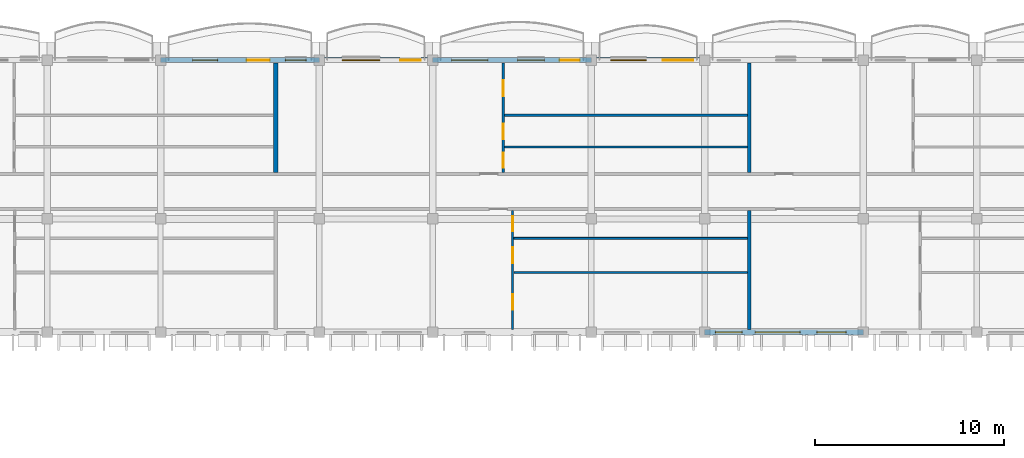
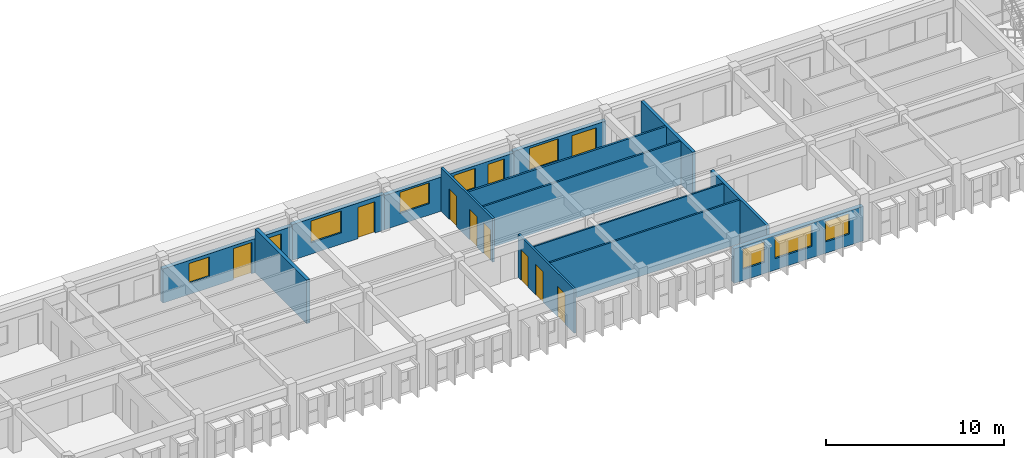
# One storey, part 24 of 59: 14 walls, 10 doors, 9 windows, 19 openings.
"""IFC4 building model written with IfcOpenShell, lengths in metres."""

from ifc_helpers import new_model, si_unit, direction, frame, frame_2d, origin, place, context, subcontext, project, spatial, rectangle, extrude, material, layer, layer_set, type_object, element, fill, save


model = new_model("IFC4")

# Units and contexts
model_context = context("Model", 3, precision=1e-05, world=origin(), true_north=direction((0.0, 1.0)))
body_context = subcontext(model_context, "Body", "Model", "MODEL_VIEW")
ifc_project = project(units=[si_unit("LENGTHUNIT", "METRE"), si_unit("AREAUNIT", "SQUARE_METRE"), si_unit("VOLUMEUNIT", "CUBIC_METRE"), si_unit("PLANEANGLEUNIT", "RADIAN"), si_unit("MASSUNIT", "GRAM", prefix="KILO"), si_unit("THERMODYNAMICTEMPERATUREUNIT", "KELVIN")], contexts=[model_context])

# Site, building, storey
site_placement = place(None, origin())
site = spatial("IfcSite", under=ifc_project, at=site_placement, CompositionType="ELEMENT")
building_placement = place(site_placement, origin())
building = spatial("IfcBuilding", under=site, at=building_placement, Name="Thalorik Housing Commons", CompositionType="ELEMENT")
storey_placement = place(building_placement, frame((0.0, 0.0, 27.89990234375)))
storey = spatial("IfcBuildingStorey", under=building, at=storey_placement, Name="L08", CompositionType="ELEMENT", Elevation=27.89990234375)

# Wall, openings, door, window
ifc_material_1 = material(Name="White precast concrete C40/50", Category="concrete")
ifc_layer_1 = layer(ifc_material_1, 0.27490234375, Name="White precast concrete C40/50", Category="concrete")
ifc_layer_set_1 = layer_set([ifc_layer_1], Name="White precast concrete C40/50")
wall_type_1 = type_object("IfcWallType", Name="ARC-WAL-EXT-275", PredefinedType="STANDARD", material=ifc_layer_set_1)
wall_1_placement = place(storey_placement, frame((129.60009765625, 123.60009765625, 0.0), z_axis=(0.0, 0.0, 1.0), x_axis=(-1.0, 0.0, 0.0)))
wall_1 = element("IfcWall", 1, at=wall_1_placement, inside=storey, type_object=wall_type_1, Name="L08 Exterior Wall WAL-EXT-L08-B-0678", PredefinedType="STANDARD", context=body_context, shape_type="SweptSolid", body=[
    extrude(rectangle(XDim=6.0, YDim=0.27490234375, at=frame_2d((3.0, 0.0))), origin(), (0.0, 0.0, 1.0), 2.445068359375),
])
opening_1_placement = place(wall_1_placement, frame((0.6201171875, 0.0, 0.0)))
opening_1 = element("IfcOpeningElement", 2, at=opening_1_placement, cuts=wall_1, Name="Opening ED-0225", PredefinedType="OPENING", context=body_context, shape_type="SweptSolid", body=[
    extrude(rectangle(XDim=1.60009765625, YDim=2.199951171875, at=frame_2d((0.800048828125, 1.10009765625))), frame((0.0, 0.1474609375, 0.0), z_axis=(0.0, -1.0, 0.0), x_axis=(1.0, 0.0, 0.0)), (0.0, 0.0, 1.0), 0.294921875),
])
opening_2_placement = place(wall_1_placement, frame((3.10009765625, 0.0, 0.780029296875)))
opening_2 = element("IfcOpeningElement", 3, at=opening_2_placement, cuts=wall_1, Name="Opening W-59", PredefinedType="OPENING", context=body_context, shape_type="SweptSolid", body=[
    extrude(rectangle(XDim=1.8798828125, YDim=1.52001953125, at=frame_2d((0.93994140625, 0.760009765625))), frame((0.0, 0.1474609375, 0.0), z_axis=(0.0, -1.0, 0.0), x_axis=(1.0, 0.0, 0.0)), (0.0, 0.0, 1.0), 0.294921875),
])
ifc_material_2 = material(Name="Anodised aluminium and laminated safety glass", Category="aluminium")
door_type_1 = type_object("IfcDoorType", Name="ARC-DR-BAL-1600", OperationType="NOTDEFINED", PredefinedType="DOOR", material=ifc_material_2)
door_1_placement = place(opening_1_placement, frame((1.60009765625, 0.0, 0.0), z_axis=(0.0, 0.0, 1.0), x_axis=(-1.0, 0.0, 0.0)))
door_1 = element("IfcDoor", 4, at=door_1_placement, inside=storey, type_object=door_type_1, Name="L08 Block B Balcony Glazed Door", OperationType="SLIDING_TO_LEFT", OverallHeight=2.199951171875, OverallWidth=1.60009765625, PredefinedType="DOOR", context=body_context, shape_type="SweptSolid", body=[
    extrude(rectangle(XDim=1.60009765625, YDim=2.199951171875, at=frame_2d((0.800048828125, 1.10009765625))), frame((0.0, 0.02490234375, 0.0), z_axis=(0.0, -1.0, 0.0), x_axis=(1.0, 0.0, 0.0)), (0.0, 0.0, 1.0), 0.050048828125),
])
fill(opening_1, door_1)
ifc_material_3 = material(Name="Anodised aluminium and solar-control low-E glass", Category="aluminium")
window_type_1 = type_object("IfcWindowType", Name="ARC-WIN-59", PartitioningType="DOUBLE_PANEL_VERTICAL", PredefinedType="WINDOW", material=ifc_material_3)
window_1_placement = place(opening_2_placement, origin())
window_1 = element("IfcWindow", 5, at=window_1_placement, inside=storey, type_object=window_type_1, Name="L08 Facade Window 1238", OverallHeight=1.52001953125, OverallWidth=1.8798828125, PartitioningType="DOUBLE_PANEL_VERTICAL", PredefinedType="WINDOW", context=body_context, shape_type="SweptSolid", body=[
    extrude(rectangle(XDim=1.8798828125, YDim=1.52001953125, at=frame_2d((0.93994140625, 0.760009765625))), frame((0.0, 0.030029296875, 0.0), z_axis=(0.0, -1.0, 0.0), x_axis=(1.0, 0.0, 0.0)), (0.0, 0.0, 1.0), 0.06005859375),
])
fill(opening_2, window_1)

# Wall, openings, door, windows
wall_2_placement = place(storey_placement, frame((123.60009765625, 123.60009765625, 0.0), z_axis=(0.0, 0.0, 1.0), x_axis=(-1.0, 0.0, 0.0)))
wall_2 = element("IfcWall", 6, at=wall_2_placement, inside=storey, type_object=wall_type_1, Name="L08 Exterior Wall WAL-EXT-L08-B-0679", PredefinedType="STANDARD", context=body_context, shape_type="SweptSolid", body=[
    extrude(rectangle(XDim=8.400146484375, YDim=0.27490234375, at=frame_2d((4.2001953125, 0.0))), origin(), (0.0, 0.0, 1.0), 2.34521484375),
])
opening_3_placement = place(wall_2_placement, frame((0.6201171875, 0.0, 0.0)))
opening_3 = element("IfcOpeningElement", 7, at=opening_3_placement, cuts=wall_2, Name="Opening ED-0226", PredefinedType="OPENING", context=body_context, shape_type="SweptSolid", body=[
    extrude(rectangle(XDim=1.050048828125, YDim=2.14990234375, at=frame_2d((0.52490234375, 1.074951171875))), frame((0.0, 0.1474609375, 0.0), z_axis=(0.0, -1.0, 0.0), x_axis=(1.0, 0.0, 0.0)), (0.0, 0.0, 1.0), 0.294921875),
])
opening_4_placement = place(wall_2_placement, frame((2.485595703125, 0.0, 0.780029296875)))
opening_4 = element("IfcOpeningElement", 8, at=opening_4_placement, cuts=wall_2, Name="Opening W-50", PredefinedType="OPENING", context=body_context, shape_type="SweptSolid", body=[
    extrude(rectangle(XDim=1.419921875, YDim=1.3798828125, at=frame_2d((0.7099609375, 0.68994140625))), frame((0.0, 0.1474609375, 0.0), z_axis=(0.0, -1.0, 0.0), x_axis=(1.0, 0.0, 0.0)), (0.0, 0.0, 1.0), 0.294921875),
])
opening_5_placement = place(wall_2_placement, frame((5.480712890625, 0.0, 0.780029296875)))
opening_5 = element("IfcOpeningElement", 9, at=opening_5_placement, cuts=wall_2, Name="Opening W-60", PredefinedType="OPENING", context=body_context, shape_type="SweptSolid", body=[
    extrude(rectangle(XDim=1.919921875, YDim=1.43994140625, at=frame_2d((0.9599609375, 0.719970703125))), frame((0.0, 0.1474609375, 0.0), z_axis=(0.0, -1.0, 0.0), x_axis=(1.0, 0.0, 0.0)), (0.0, 0.0, 1.0), 0.294921875),
])
door_type_2 = type_object("IfcDoorType", Name="ARC-DR-BAL-1050", OperationType="NOTDEFINED", PredefinedType="DOOR", material=ifc_material_2)
door_2_placement = place(opening_3_placement, frame((1.050048828125, 0.0, 0.0), z_axis=(0.0, 0.0, 1.0), x_axis=(-1.0, 0.0, 0.0)))
door_2 = element("IfcDoor", 10, at=door_2_placement, inside=storey, type_object=door_type_2, Name="L08 Block B Balcony Glazed Door", OperationType="SINGLE_SWING_LEFT", OverallHeight=2.14990234375, OverallWidth=1.050048828125, PredefinedType="DOOR", context=body_context, shape_type="SweptSolid", body=[
    extrude(rectangle(XDim=1.050048828125, YDim=2.14990234375, at=frame_2d((0.52490234375, 1.074951171875))), frame((0.0, 0.02490234375, 0.0), z_axis=(0.0, -1.0, 0.0), x_axis=(1.0, 0.0, 0.0)), (0.0, 0.0, 1.0), 0.050048828125),
])
fill(opening_3, door_2)
window_type_2 = type_object("IfcWindowType", Name="ARC-WIN-50", PartitioningType="SINGLE_PANEL", PredefinedType="WINDOW", material=ifc_material_3)
window_2_placement = place(opening_4_placement, origin())
window_2 = element("IfcWindow", 11, at=window_2_placement, inside=storey, type_object=window_type_2, Name="L08 Facade Window 1239", OverallHeight=1.3798828125, OverallWidth=1.419921875, PartitioningType="SINGLE_PANEL", PredefinedType="WINDOW", context=body_context, shape_type="SweptSolid", body=[
    extrude(rectangle(XDim=1.419921875, YDim=1.3798828125, at=frame_2d((0.7099609375, 0.68994140625))), frame((0.0, 0.030029296875, 0.0), z_axis=(0.0, -1.0, 0.0), x_axis=(1.0, 0.0, 0.0)), (0.0, 0.0, 1.0), 0.06005859375),
])
fill(opening_4, window_2)
window_type_3 = type_object("IfcWindowType", Name="ARC-WIN-60", PartitioningType="DOUBLE_PANEL_VERTICAL", PredefinedType="WINDOW", material=ifc_material_3)
window_3_placement = place(opening_5_placement, origin())
window_3 = element("IfcWindow", 12, at=window_3_placement, inside=storey, type_object=window_type_3, Name="L08 Facade Window 1240", OverallHeight=1.43994140625, OverallWidth=1.919921875, PartitioningType="DOUBLE_PANEL_VERTICAL", PredefinedType="WINDOW", context=body_context, shape_type="SweptSolid", body=[
    extrude(rectangle(XDim=1.919921875, YDim=1.43994140625, at=frame_2d((0.9599609375, 0.719970703125))), frame((0.0, 0.030029296875, 0.0), z_axis=(0.0, -1.0, 0.0), x_axis=(1.0, 0.0, 0.0)), (0.0, 0.0, 1.0), 0.06005859375),
])
fill(opening_5, window_3)

# Wall, openings, door, window
wall_3_placement = place(storey_placement, frame((115.199951171875, 123.60009765625, 0.0), z_axis=(0.0, 0.0, 1.0), x_axis=(-1.0, 0.0, 0.0)))
wall_3 = element("IfcWall", 13, at=wall_3_placement, inside=storey, type_object=wall_type_1, Name="L08 Exterior Wall WAL-EXT-L08-B-0680", PredefinedType="STANDARD", context=body_context, shape_type="SweptSolid", body=[
    extrude(rectangle(XDim=6.0, YDim=0.27490234375, at=frame_2d((3.0, 0.0))), origin(), (0.0, 0.0, 1.0), 2.445068359375),
])
opening_6_placement = place(wall_3_placement, frame((0.6201171875, 0.0, 0.0)))
opening_6 = element("IfcOpeningElement", 14, at=opening_6_placement, cuts=wall_3, Name="Opening ED-0227", PredefinedType="OPENING", context=body_context, shape_type="SweptSolid", body=[
    extrude(rectangle(XDim=1.10009765625, YDim=2.14990234375, at=frame_2d((0.550048828125, 1.074951171875))), frame((0.0, 0.1474609375, 0.0), z_axis=(0.0, -1.0, 0.0), x_axis=(1.0, 0.0, 0.0)), (0.0, 0.0, 1.0), 0.294921875),
])
opening_7_placement = place(wall_3_placement, frame((2.800048828125, 0.0, 0.780029296875)))
opening_7 = element("IfcOpeningElement", 15, at=opening_7_placement, cuts=wall_3, Name="Opening W-61", PredefinedType="OPENING", context=body_context, shape_type="SweptSolid", body=[
    extrude(rectangle(XDim=1.97998046875, YDim=1.5, at=frame_2d((0.989990234375, 0.75))), frame((0.0, 0.1474609375, 0.0), z_axis=(0.0, -1.0, 0.0), x_axis=(1.0, 0.0, 0.0)), (0.0, 0.0, 1.0), 0.294921875),
])
door_type_3 = type_object("IfcDoorType", Name="ARC-DR-BAL-1100", OperationType="NOTDEFINED", PredefinedType="DOOR", material=ifc_material_2)
door_3_placement = place(opening_6_placement, frame((1.10009765625, 0.0, 0.0), z_axis=(0.0, 0.0, 1.0), x_axis=(-1.0, 0.0, 0.0)))
door_3 = element("IfcDoor", 16, at=door_3_placement, inside=storey, type_object=door_type_3, Name="L08 Block B Balcony Glazed Door", OperationType="SINGLE_SWING_RIGHT", OverallHeight=2.14990234375, OverallWidth=1.10009765625, PredefinedType="DOOR", context=body_context, shape_type="SweptSolid", body=[
    extrude(rectangle(XDim=1.10009765625, YDim=2.14990234375, at=frame_2d((0.550048828125, 1.074951171875))), frame((0.0, 0.02490234375, 0.0), z_axis=(0.0, -1.0, 0.0), x_axis=(1.0, 0.0, 0.0)), (0.0, 0.0, 1.0), 0.050048828125),
])
fill(opening_6, door_3)
window_type_4 = type_object("IfcWindowType", Name="ARC-WIN-61", PartitioningType="DOUBLE_PANEL_VERTICAL", PredefinedType="WINDOW", material=ifc_material_3)
window_4_placement = place(opening_7_placement, origin())
window_4 = element("IfcWindow", 17, at=window_4_placement, inside=storey, type_object=window_type_4, Name="L08 Facade Window 1241", OverallHeight=1.5, OverallWidth=1.97998046875, PartitioningType="DOUBLE_PANEL_VERTICAL", PredefinedType="WINDOW", context=body_context, shape_type="SweptSolid", body=[
    extrude(rectangle(XDim=1.97998046875, YDim=1.5, at=frame_2d((0.989990234375, 0.75))), frame((0.0, 0.030029296875, 0.0), z_axis=(0.0, -1.0, 0.0), x_axis=(1.0, 0.0, 0.0)), (0.0, 0.0, 1.0), 0.06005859375),
])
fill(opening_7, window_4)

# Wall, openings, door, windows
wall_4_placement = place(storey_placement, frame((109.199951171875, 123.60009765625, 0.0), z_axis=(0.0, 0.0, 1.0), x_axis=(-1.0, 0.0, 0.0)))
wall_4 = element("IfcWall", 18, at=wall_4_placement, inside=storey, type_object=wall_type_1, Name="L08 Exterior Wall WAL-EXT-L08-B-0681", PredefinedType="STANDARD", context=body_context, shape_type="SweptSolid", body=[
    extrude(rectangle(XDim=8.39990234375, YDim=0.27490234375, at=frame_2d((4.199951171875, 0.0))), origin(), (0.0, 0.0, 1.0), 2.34521484375),
])
opening_8_placement = place(wall_4_placement, frame((2.6298828125, 0.0, 0.0)))
opening_8 = element("IfcOpeningElement", 19, at=opening_8_placement, cuts=wall_4, Name="Opening ED-0228", PredefinedType="OPENING", context=body_context, shape_type="SweptSolid", body=[
    extrude(rectangle(XDim=1.199951171875, YDim=2.14990234375, at=frame_2d((0.60009765625, 1.074951171875))), frame((0.0, 0.1474609375, 0.0), z_axis=(0.0, -1.0, 0.0), x_axis=(1.0, 0.0, 0.0)), (0.0, 0.0, 1.0), 0.294921875),
])
opening_9_placement = place(wall_4_placement, frame((0.695068359375, 0.0, 0.780029296875)))
opening_9 = element("IfcOpeningElement", 20, at=opening_9_placement, cuts=wall_4, Name="Opening W-03", PredefinedType="OPENING", context=body_context, shape_type="SweptSolid", body=[
    extrude(rectangle(XDim=1.10009765625, YDim=1.300048828125, at=frame_2d((0.550048828125, 0.64990234375))), frame((0.0, 0.1474609375, 0.0), z_axis=(0.0, -1.0, 0.0), x_axis=(1.0, 0.0, 0.0)), (0.0, 0.0, 1.0), 0.294921875),
])
opening_10_placement = place(wall_4_placement, frame((5.385009765625, 0.0, 0.780029296875)))
opening_10 = element("IfcOpeningElement", 21, at=opening_10_placement, cuts=wall_4, Name="Opening W-48", PredefinedType="OPENING", context=body_context, shape_type="SweptSolid", body=[
    extrude(rectangle(XDim=1.320068359375, YDim=1.35009765625, at=frame_2d((0.66015625, 0.675048828125))), frame((0.0, 0.1474609375, 0.0), z_axis=(0.0, -1.0, 0.0), x_axis=(1.0, 0.0, 0.0)), (0.0, 0.0, 1.0), 0.294921875),
])
door_type_4 = type_object("IfcDoorType", Name="ARC-DR-BAL-1200", OperationType="NOTDEFINED", PredefinedType="DOOR", material=ifc_material_2)
door_4_placement = place(opening_8_placement, frame((1.199951171875, 0.0, 0.0), z_axis=(0.0, 0.0, 1.0), x_axis=(-1.0, 0.0, 0.0)))
door_4 = element("IfcDoor", 22, at=door_4_placement, inside=storey, type_object=door_type_4, Name="L08 Block B Balcony Glazed Door", OperationType="SINGLE_SWING_LEFT", OverallHeight=2.14990234375, OverallWidth=1.199951171875, PredefinedType="DOOR", context=body_context, shape_type="SweptSolid", body=[
    extrude(rectangle(XDim=1.199951171875, YDim=2.14990234375, at=frame_2d((0.60009765625, 1.074951171875))), frame((0.0, 0.02490234375, 0.0), z_axis=(0.0, -1.0, 0.0), x_axis=(1.0, 0.0, 0.0)), (0.0, 0.0, 1.0), 0.050048828125),
])
fill(opening_8, door_4)
window_type_5 = type_object("IfcWindowType", Name="ARC-WIN-03", PartitioningType="SINGLE_PANEL", PredefinedType="WINDOW", material=ifc_material_3)
window_5_placement = place(opening_9_placement, origin())
window_5 = element("IfcWindow", 23, at=window_5_placement, inside=storey, type_object=window_type_5, Name="L08 Facade Window 1242", OverallHeight=1.300048828125, OverallWidth=1.10009765625, PartitioningType="SINGLE_PANEL", PredefinedType="WINDOW", context=body_context, shape_type="SweptSolid", body=[
    extrude(rectangle(XDim=1.10009765625, YDim=1.300048828125, at=frame_2d((0.550048828125, 0.64990234375))), frame((0.0, 0.030029296875, 0.0), z_axis=(0.0, -1.0, 0.0), x_axis=(1.0, 0.0, 0.0)), (0.0, 0.0, 1.0), 0.06005859375),
])
fill(opening_9, window_5)
window_type_6 = type_object("IfcWindowType", Name="ARC-WIN-48", PartitioningType="SINGLE_PANEL", PredefinedType="WINDOW", material=ifc_material_3)
window_6_placement = place(opening_10_placement, origin())
window_6 = element("IfcWindow", 24, at=window_6_placement, inside=storey, type_object=window_type_6, Name="L08 Facade Window 1243", OverallHeight=1.35009765625, OverallWidth=1.320068359375, PartitioningType="SINGLE_PANEL", PredefinedType="WINDOW", context=body_context, shape_type="SweptSolid", body=[
    extrude(rectangle(XDim=1.320068359375, YDim=1.35009765625, at=frame_2d((0.66015625, 0.675048828125))), frame((0.0, 0.030029296875, 0.0), z_axis=(0.0, -1.0, 0.0), x_axis=(1.0, 0.0, 0.0)), (0.0, 0.0, 1.0), 0.06005859375),
])
fill(opening_10, window_6)

# Wall, openings, windows
wall_5_placement = place(storey_placement, frame((129.60009765625, 109.199951171875, 0.0), z_axis=(0.0, 0.0, 1.0), x_axis=(1.0, 0.0, 0.0)))
wall_5 = element("IfcWall", 25, at=wall_5_placement, inside=storey, type_object=wall_type_1, Name="L08 Exterior Wall WAL-EXT-L08-B-0694", PredefinedType="STANDARD", context=body_context, shape_type="SweptSolid", body=[
    extrude(rectangle(XDim=8.39990234375, YDim=0.27490234375, at=frame_2d((4.199951171875, 0.0))), origin(), (0.0, 0.0, 1.0), 2.375),
])
opening_11_placement = place(wall_5_placement, frame((0.56494140625, 0.0, 0.780029296875)))
opening_11 = element("IfcOpeningElement", 26, at=opening_11_placement, cuts=wall_5, Name="Opening W-50", PredefinedType="OPENING", context=body_context, shape_type="SweptSolid", body=[
    extrude(rectangle(XDim=1.419921875, YDim=1.3798828125, at=frame_2d((0.7099609375, 0.68994140625))), frame((0.0, 0.1474609375, 0.0), z_axis=(0.0, -1.0, 0.0), x_axis=(1.0, 0.0, 0.0)), (0.0, 0.0, 1.0), 0.294921875),
])
opening_12_placement = place(wall_5_placement, frame((2.66748046875, 0.0, 0.780029296875)))
opening_12 = element("IfcOpeningElement", 27, at=opening_12_placement, cuts=wall_5, Name="Opening W-69", PredefinedType="OPENING", context=body_context, shape_type="SweptSolid", body=[
    extrude(rectangle(XDim=2.3798828125, YDim=1.47998046875, at=frame_2d((1.18994140625, 0.739990234375))), frame((0.0, 0.1474609375, 0.0), z_axis=(0.0, -1.0, 0.0), x_axis=(1.0, 0.0, 0.0)), (0.0, 0.0, 1.0), 0.294921875),
])
opening_13_placement = place(wall_5_placement, frame((5.9375, 0.0, 0.780029296875)))
opening_13 = element("IfcOpeningElement", 28, at=opening_13_placement, cuts=wall_5, Name="Opening W-12", PredefinedType="OPENING", context=body_context, shape_type="SweptSolid", body=[
    extrude(rectangle(XDim=1.550048828125, YDim=1.39990234375, at=frame_2d((0.77490234375, 0.699951171875))), frame((0.0, 0.1474609375, 0.0), z_axis=(0.0, -1.0, 0.0), x_axis=(1.0, 0.0, 0.0)), (0.0, 0.0, 1.0), 0.294921875),
])
window_type_7 = type_object("IfcWindowType", Name="ARC-WIN-12", PartitioningType="SINGLE_PANEL", PredefinedType="WINDOW", material=ifc_material_3)
window_7_placement = place(opening_13_placement, origin())
window_7 = element("IfcWindow", 29, at=window_7_placement, inside=storey, type_object=window_type_7, Name="L08 Facade Window 1272", OverallHeight=1.39990234375, OverallWidth=1.550048828125, PartitioningType="SINGLE_PANEL", PredefinedType="WINDOW", context=body_context, shape_type="SweptSolid", body=[
    extrude(rectangle(XDim=1.550048828125, YDim=1.39990234375, at=frame_2d((0.77490234375, 0.699951171875))), frame((0.0, 0.030029296875, 0.0), z_axis=(0.0, -1.0, 0.0), x_axis=(1.0, 0.0, 0.0)), (0.0, 0.0, 1.0), 0.06005859375),
])
fill(opening_13, window_7)
window_8_placement = place(opening_11_placement, origin())
window_8 = element("IfcWindow", 30, at=window_8_placement, inside=storey, type_object=window_type_2, Name="L08 Facade Window 1270", OverallHeight=1.3798828125, OverallWidth=1.419921875, PartitioningType="SINGLE_PANEL", PredefinedType="WINDOW", context=body_context, shape_type="SweptSolid", body=[
    extrude(rectangle(XDim=1.419921875, YDim=1.3798828125, at=frame_2d((0.7099609375, 0.68994140625))), frame((0.0, 0.030029296875, 0.0), z_axis=(0.0, -1.0, 0.0), x_axis=(1.0, 0.0, 0.0)), (0.0, 0.0, 1.0), 0.06005859375),
])
fill(opening_11, window_8)
window_type_8 = type_object("IfcWindowType", Name="ARC-WIN-69", PartitioningType="DOUBLE_PANEL_VERTICAL", PredefinedType="WINDOW", material=ifc_material_3)
window_9_placement = place(opening_12_placement, origin())
window_9 = element("IfcWindow", 31, at=window_9_placement, inside=storey, type_object=window_type_8, Name="L08 Facade Window 1271", OverallHeight=1.47998046875, OverallWidth=2.3798828125, PartitioningType="DOUBLE_PANEL_VERTICAL", PredefinedType="WINDOW", context=body_context, shape_type="SweptSolid", body=[
    extrude(rectangle(XDim=2.3798828125, YDim=1.47998046875, at=frame_2d((1.18994140625, 0.739990234375))), frame((0.0, 0.030029296875, 0.0), z_axis=(0.0, -1.0, 0.0), x_axis=(1.0, 0.0, 0.0)), (0.0, 0.0, 1.0), 0.06005859375),
])
fill(opening_12, window_9)

# Walls
ifc_material_4 = material(Name="Gypsum light stud partition", Category="masonry")
ifc_layer_2 = layer(ifc_material_4, 0.10009765625, Name="Gypsum light stud partition", Category="masonry")
ifc_layer_set_2 = layer_set([ifc_layer_2], Name="Gypsum light stud partition")
wall_type_2 = type_object("IfcWallType", Name="ARC-WAL-PART-100", PredefinedType="PARTITIONING", material=ifc_layer_set_2)
wall_6_placement = place(storey_placement, frame((119.494384765625, 114.169677734375, 0.0), z_axis=(0.0, 0.0, 1.0), x_axis=(1.0, 0.0, 0.0)))
element("IfcWall", 32, at=wall_6_placement, inside=storey, type_object=wall_type_2, Name="L08 Unit 2 Wet Wall", PredefinedType="PARTITIONING", context=body_context, shape_type="SweptSolid", body=[
    extrude(rectangle(XDim=12.37109375, YDim=0.10009765625, at=frame_2d((6.185546875, 0.0))), origin(), (0.0, 0.0, 1.0), 3.0),
])
ifc_material_5 = material(Name="Gypsum moisture-resistant partition", Category="masonry")
ifc_layer_3 = layer(ifc_material_5, 0.114990234375, Name="Gypsum moisture-resistant partition", Category="masonry")
ifc_layer_set_3 = layer_set([ifc_layer_3], Name="Gypsum moisture-resistant partition")
wall_type_3 = type_object("IfcWallType", Name="ARC-WAL-PART-115", PredefinedType="PARTITIONING", material=ifc_layer_set_3)
wall_7_placement = place(storey_placement, frame((119.494384765625, 112.36083984375, 0.0), z_axis=(0.0, 0.0, 1.0), x_axis=(1.0, 0.0, 0.0)))
element("IfcWall", 33, at=wall_7_placement, inside=storey, type_object=wall_type_3, Name="L08 Unit 2 Bedroom Partition", PredefinedType="PARTITIONING", context=body_context, shape_type="SweptSolid", body=[
    extrude(rectangle(XDim=12.37109375, YDim=0.114990234375, at=frame_2d((6.185546875, 0.0))), origin(), (0.0, 0.0, 1.0), 3.0),
])
wall_8_placement = place(storey_placement, frame((119.000732421875, 119.010498046875, 0.0), z_axis=(0.0, 0.0, 1.0), x_axis=(1.0, 0.0, 0.0)))
element("IfcWall", 34, at=wall_8_placement, inside=storey, type_object=wall_type_3, Name="L08 Unit 2B Wet Wall", PredefinedType="PARTITIONING", context=body_context, shape_type="SweptSolid", body=[
    extrude(rectangle(XDim=12.857177734375, YDim=0.114990234375, at=frame_2d((6.4287109375, 0.0))), origin(), (0.0, 0.0, 1.0), 3.0),
])

# Wall, openings, doors
ifc_material_6 = material(Name="Gypsum acoustic stud partition", Category="masonry")
ifc_layer_4 = layer(ifc_material_6, 0.125, Name="Gypsum acoustic stud partition", Category="masonry")
ifc_layer_set_4 = layer_set([ifc_layer_4], Name="Gypsum acoustic stud partition")
wall_type_4 = type_object("IfcWallType", Name="ARC-WAL-PART-125", PredefinedType="PARTITIONING", material=ifc_layer_set_4)
wall_9_placement = place(storey_placement, frame((119.429931640625, 109.339599609375, 0.0), z_axis=(0.0, 0.0, 1.0), x_axis=(0.0, 1.0, 0.0)))
wall_9 = element("IfcWall", 35, at=wall_9_placement, inside=storey, type_object=wall_type_4, Name="L08 Unit 2 Spine Partition", PredefinedType="PARTITIONING", context=body_context, shape_type="SweptSolid", body=[
    extrude(rectangle(XDim=6.303466796875, YDim=0.125, at=frame_2d((3.15185546875, 0.0))), origin(), (0.0, 0.0, 1.0), 3.0),
])
opening_14_placement = place(wall_9_placement, frame((1.0458984375, 0.0, 0.0)))
opening_14 = element("IfcOpeningElement", 36, at=opening_14_placement, cuts=wall_9, Name="Opening ID-1340", PredefinedType="OPENING", context=body_context, shape_type="SweptSolid", body=[
    extrude(rectangle(XDim=0.820068359375, YDim=2.080078125, at=frame_2d((0.41015625, 1.0400390625))), frame((0.0, 0.072509765625, 0.0), z_axis=(0.0, -1.0, 0.0), x_axis=(1.0, 0.0, 0.0)), (0.0, 0.0, 1.0), 0.14501953125),
])
opening_15_placement = place(wall_9_placement, frame((3.500732421875, 0.0, 0.0)))
opening_15 = element("IfcOpeningElement", 37, at=opening_15_placement, cuts=wall_9, Name="Opening ID-1341", PredefinedType="OPENING", context=body_context, shape_type="SweptSolid", body=[
    extrude(rectangle(XDim=0.85009765625, YDim=2.10009765625, at=frame_2d((0.425048828125, 1.050048828125))), frame((0.0, 0.072509765625, 0.0), z_axis=(0.0, -1.0, 0.0), x_axis=(1.0, 0.0, 0.0)), (0.0, 0.0, 1.0), 0.14501953125),
])
opening_16_placement = place(wall_9_placement, frame((5.205322265625, 0.0, 0.0)))
opening_16 = element("IfcOpeningElement", 38, at=opening_16_placement, cuts=wall_9, Name="Opening ID-1342", PredefinedType="OPENING", context=body_context, shape_type="SweptSolid", body=[
    extrude(rectangle(XDim=0.800048828125, YDim=2.10009765625, at=frame_2d((0.39990234375, 1.050048828125))), frame((0.0, 0.072509765625, 0.0), z_axis=(0.0, -1.0, 0.0), x_axis=(1.0, 0.0, 0.0)), (0.0, 0.0, 1.0), 0.14501953125),
])
ifc_material_7 = material(Name="Moisture-resistant timber", Category="wood")
door_type_5 = type_object("IfcDoorType", Name="ARC-DR-INT-800", OperationType="NOTDEFINED", PredefinedType="DOOR", material=ifc_material_7)
door_5_placement = place(opening_16_placement, origin())
door_5 = element("IfcDoor", 39, at=door_5_placement, inside=storey, type_object=door_type_5, Name="L08 Flat Bathroom Door", OperationType="SINGLE_SWING_LEFT", OverallHeight=2.10009765625, OverallWidth=0.800048828125, PredefinedType="DOOR", context=body_context, shape_type="SweptSolid", body=[
    extrude(rectangle(XDim=0.800048828125, YDim=2.10009765625, at=frame_2d((0.39990234375, 1.050048828125))), frame((0.0, 0.02490234375, 0.0), z_axis=(0.0, -1.0, 0.0), x_axis=(1.0, 0.0, 0.0)), (0.0, 0.0, 1.0), 0.050048828125),
])
fill(opening_16, door_5)
ifc_material_8 = material(Name="Engineered oak timber", Category="wood")
door_type_6 = type_object("IfcDoorType", Name="ARC-DR-INT-820", OperationType="NOTDEFINED", PredefinedType="DOOR", material=ifc_material_8)
door_6_placement = place(opening_14_placement, origin())
door_6 = element("IfcDoor", 40, at=door_6_placement, inside=storey, type_object=door_type_6, Name="L08 Double Bedroom Door", OperationType="SINGLE_SWING_LEFT", OverallHeight=2.080078125, OverallWidth=0.820068359375, PredefinedType="DOOR", context=body_context, shape_type="SweptSolid", body=[
    extrude(rectangle(XDim=0.820068359375, YDim=2.080078125, at=frame_2d((0.41015625, 1.0400390625))), frame((0.0, 0.02490234375, 0.0), z_axis=(0.0, -1.0, 0.0), x_axis=(1.0, 0.0, 0.0)), (0.0, 0.0, 1.0), 0.050048828125),
])
fill(opening_14, door_6)
door_type_7 = type_object("IfcDoorType", Name="ARC-DR-INT-850", OperationType="NOTDEFINED", PredefinedType="DOOR", material=ifc_material_8)
door_7_placement = place(opening_15_placement, origin())
door_7 = element("IfcDoor", 41, at=door_7_placement, inside=storey, type_object=door_type_7, Name="L08 Galley Kitchen Door", OperationType="SINGLE_SWING_RIGHT", OverallHeight=2.10009765625, OverallWidth=0.85009765625, PredefinedType="DOOR", context=body_context, shape_type="SweptSolid", body=[
    extrude(rectangle(XDim=0.85009765625, YDim=2.10009765625, at=frame_2d((0.425048828125, 1.050048828125))), frame((0.0, 0.02490234375, 0.0), z_axis=(0.0, -1.0, 0.0), x_axis=(1.0, 0.0, 0.0)), (0.0, 0.0, 1.0), 0.050048828125),
])
fill(opening_15, door_7)

# Wall
wall_10_placement = place(storey_placement, frame((119.000732421875, 120.67919921875, 0.0), z_axis=(0.0, 0.0, 1.0), x_axis=(1.0, 0.0, 0.0)))
element("IfcWall", 42, at=wall_10_placement, inside=storey, type_object=wall_type_4, Name="L08 Unit 2B Bedroom Partition", PredefinedType="PARTITIONING", context=body_context, shape_type="SweptSolid", body=[
    extrude(rectangle(XDim=12.857177734375, YDim=0.125, at=frame_2d((6.4287109375, 0.0))), origin(), (0.0, 0.0, 1.0), 3.0),
])

# Wall, openings, doors
ifc_material_9 = material(Name="Ceramic masonry partition wall", Category="masonry")
ifc_layer_5 = layer(ifc_material_9, 0.139892578125, Name="Ceramic masonry partition wall", Category="masonry")
ifc_layer_set_5 = layer_set([ifc_layer_5], Name="Ceramic masonry partition wall")
wall_type_5 = type_object("IfcWallType", Name="ARC-WAL-PART-140", PredefinedType="PARTITIONING", material=ifc_layer_set_5)
wall_11_placement = place(storey_placement, frame((118.9287109375, 117.66455078125, 0.0), z_axis=(0.0, 0.0, 1.0), x_axis=(0.0, 1.0, 0.0)))
wall_11 = element("IfcWall", 43, at=wall_11_placement, inside=storey, type_object=wall_type_5, Name="L08 Unit 2B Spine Partition", PredefinedType="PARTITIONING", context=body_context, shape_type="SweptSolid", body=[
    extrude(rectangle(XDim=5.7958984375, YDim=0.139892578125, at=frame_2d((2.89794921875, 0.0))), origin(), (0.0, 0.0, 1.0), 3.0),
])
opening_17_placement = place(wall_11_placement, frame((0.230712890625, 0.0, 0.0)))
opening_17 = element("IfcOpeningElement", 44, at=opening_17_placement, cuts=wall_11, Name="Opening ID-1343", PredefinedType="OPENING", context=body_context, shape_type="SweptSolid", body=[
    extrude(rectangle(XDim=0.800048828125, YDim=2.10009765625, at=frame_2d((0.39990234375, 1.050048828125))), frame((0.0, 0.080078125, 0.0), z_axis=(0.0, -1.0, 0.0), x_axis=(1.0, 0.0, 0.0)), (0.0, 0.0, 1.0), 0.159912109375),
])
opening_18_placement = place(wall_11_placement, frame((1.75537109375, 0.0, 0.0)))
opening_18 = element("IfcOpeningElement", 45, at=opening_18_placement, cuts=wall_11, Name="Opening ID-1344", PredefinedType="OPENING", context=body_context, shape_type="SweptSolid", body=[
    extrude(rectangle(XDim=0.820068359375, YDim=2.080078125, at=frame_2d((0.41015625, 1.0400390625))), frame((0.0, 0.080078125, 0.0), z_axis=(0.0, -1.0, 0.0), x_axis=(1.0, 0.0, 0.0)), (0.0, 0.0, 1.0), 0.159912109375),
])
opening_19_placement = place(wall_11_placement, frame((4.02001953125, 0.0, 0.0)))
opening_19 = element("IfcOpeningElement", 46, at=opening_19_placement, cuts=wall_11, Name="Opening ID-1345", PredefinedType="OPENING", context=body_context, shape_type="SweptSolid", body=[
    extrude(rectangle(XDim=0.85009765625, YDim=2.10009765625, at=frame_2d((0.425048828125, 1.050048828125))), frame((0.0, 0.080078125, 0.0), z_axis=(0.0, -1.0, 0.0), x_axis=(1.0, 0.0, 0.0)), (0.0, 0.0, 1.0), 0.159912109375),
])
door_8_placement = place(opening_17_placement, origin())
door_8 = element("IfcDoor", 47, at=door_8_placement, inside=storey, type_object=door_type_5, Name="L08 Flat Bathroom Door", OperationType="SINGLE_SWING_RIGHT", OverallHeight=2.10009765625, OverallWidth=0.800048828125, PredefinedType="DOOR", context=body_context, shape_type="SweptSolid", body=[
    extrude(rectangle(XDim=0.800048828125, YDim=2.10009765625, at=frame_2d((0.39990234375, 1.050048828125))), frame((0.0, 0.02490234375, 0.0), z_axis=(0.0, -1.0, 0.0), x_axis=(1.0, 0.0, 0.0)), (0.0, 0.0, 1.0), 0.050048828125),
])
fill(opening_17, door_8)
door_9_placement = place(opening_18_placement, origin())
door_9 = element("IfcDoor", 48, at=door_9_placement, inside=storey, type_object=door_type_6, Name="L08 Eat-In Kitchen Door", OperationType="SINGLE_SWING_LEFT", OverallHeight=2.080078125, OverallWidth=0.820068359375, PredefinedType="DOOR", context=body_context, shape_type="SweptSolid", body=[
    extrude(rectangle(XDim=0.820068359375, YDim=2.080078125, at=frame_2d((0.41015625, 1.0400390625))), frame((0.0, 0.02490234375, 0.0), z_axis=(0.0, -1.0, 0.0), x_axis=(1.0, 0.0, 0.0)), (0.0, 0.0, 1.0), 0.050048828125),
])
fill(opening_18, door_9)
door_10_placement = place(opening_19_placement, origin())
door_10 = element("IfcDoor", 49, at=door_10_placement, inside=storey, type_object=door_type_7, Name="L08 Master Bedroom Door", OperationType="SINGLE_SWING_RIGHT", OverallHeight=2.10009765625, OverallWidth=0.85009765625, PredefinedType="DOOR", context=body_context, shape_type="SweptSolid", body=[
    extrude(rectangle(XDim=0.85009765625, YDim=2.10009765625, at=frame_2d((0.425048828125, 1.050048828125))), frame((0.0, 0.02490234375, 0.0), z_axis=(0.0, -1.0, 0.0), x_axis=(1.0, 0.0, 0.0)), (0.0, 0.0, 1.0), 0.050048828125),
])
fill(opening_19, door_10)

# Walls
ifc_material_10 = material(Name="Masonry acoustic blockwork wall", Category="masonry")
ifc_layer_6 = layer(ifc_material_10, 0.18505859375, Name="Masonry acoustic blockwork wall", Category="masonry")
ifc_layer_set_6 = layer_set([ifc_layer_6], Name="Masonry acoustic blockwork wall")
wall_type_6 = type_object("IfcWallType", Name="ARC-WAL-PARTY-185", PredefinedType="PARTITIONING", material=ifc_layer_set_6)
wall_12_placement = place(storey_placement, frame((131.9599609375, 109.339599609375, 0.0), z_axis=(0.0, 0.0, 1.0), x_axis=(0.0, 1.0, 0.0)))
element("IfcWall", 50, at=wall_12_placement, inside=storey, type_object=wall_type_6, Name="L08 Inter-Tenancy Wall 2A", PredefinedType="PARTITIONING", context=body_context, shape_type="SweptSolid", body=[
    extrude(rectangle(XDim=6.303466796875, YDim=0.18505859375, at=frame_2d((3.15185546875, 0.0))), origin(), (0.0, 0.0, 1.0), 3.0),
])
ifc_material_11 = material(Name="Precast concrete C40/50 acoustic wall", Category="concrete")
ifc_layer_7 = layer(ifc_material_11, 0.199951171875, Name="Precast concrete C40/50 acoustic wall", Category="concrete")
ifc_layer_set_7 = layer_set([ifc_layer_7], Name="Precast concrete C40/50 acoustic wall")
wall_type_7 = type_object("IfcWallType", Name="ARC-WAL-PARTY-200", PredefinedType="PARTITIONING", material=ifc_layer_set_7)
wall_13_placement = place(storey_placement, frame((131.9599609375, 117.66455078125, 0.0), z_axis=(0.0, 0.0, 1.0), x_axis=(0.0, 1.0, 0.0)))
element("IfcWall", 51, at=wall_13_placement, inside=storey, type_object=wall_type_7, Name="L08 Inter-Tenancy Wall 2B", PredefinedType="PARTITIONING", context=body_context, shape_type="SweptSolid", body=[
    extrude(rectangle(XDim=5.7958984375, YDim=0.199951171875, at=frame_2d((2.89794921875, 0.0))), origin(), (0.0, 0.0, 1.0), 3.0),
])
ifc_layer_8 = layer(ifc_material_11, 0.219970703125, Name="Precast concrete C40/50 acoustic wall", Category="concrete")
ifc_layer_set_8 = layer_set([ifc_layer_8], Name="Precast concrete C40/50 acoustic wall")
wall_type_8 = type_object("IfcWallType", Name="ARC-WAL-PARTY-220", PredefinedType="PARTITIONING", material=ifc_layer_set_8)
wall_14_placement = place(storey_placement, frame((106.89990234375, 117.66455078125, 0.0), z_axis=(0.0, 0.0, 1.0), x_axis=(0.0, 1.0, 0.0)))
element("IfcWall", 52, at=wall_14_placement, inside=storey, type_object=wall_type_8, Name="L08 Inter-Tenancy Wall 1B", PredefinedType="PARTITIONING", context=body_context, shape_type="SweptSolid", body=[
    extrude(rectangle(XDim=5.7958984375, YDim=0.219970703125, at=frame_2d((2.89794921875, 0.0))), origin(), (0.0, 0.0, 1.0), 3.0),
])

save(model, "model.ifc")
